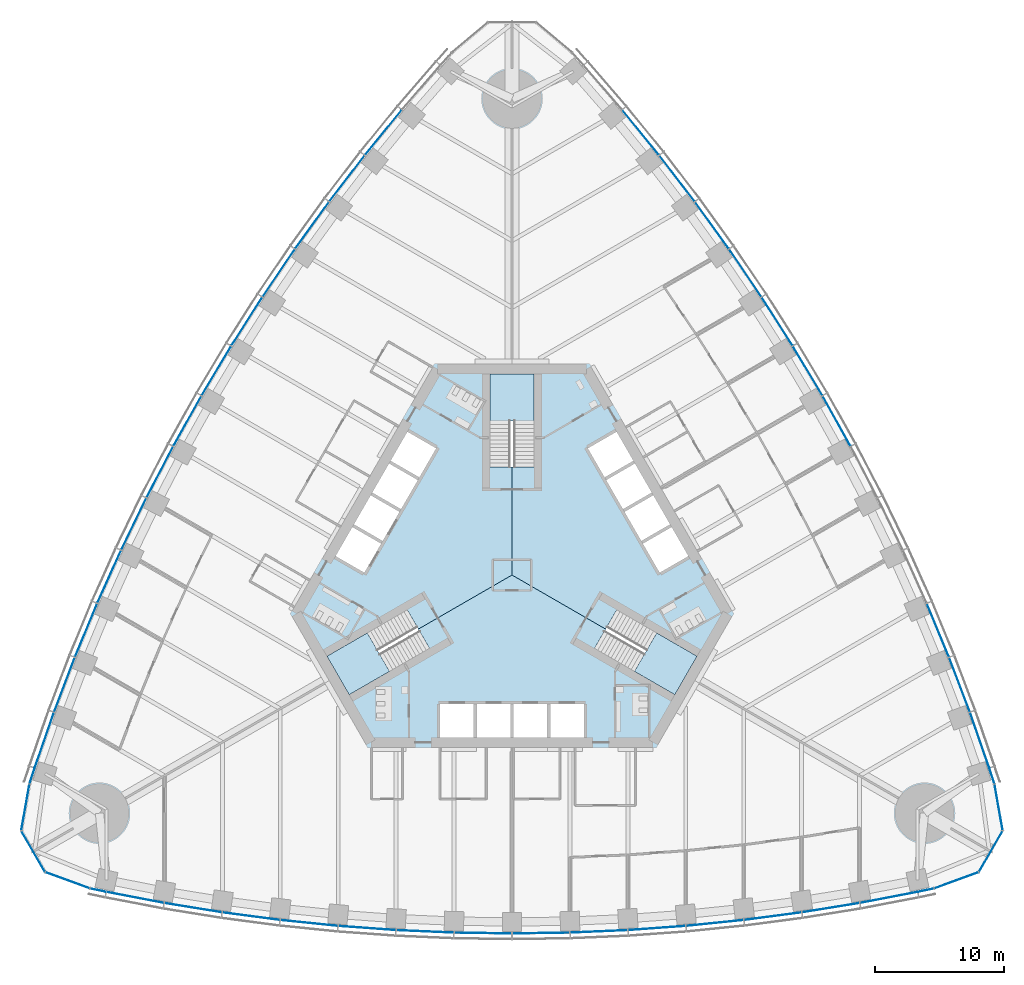
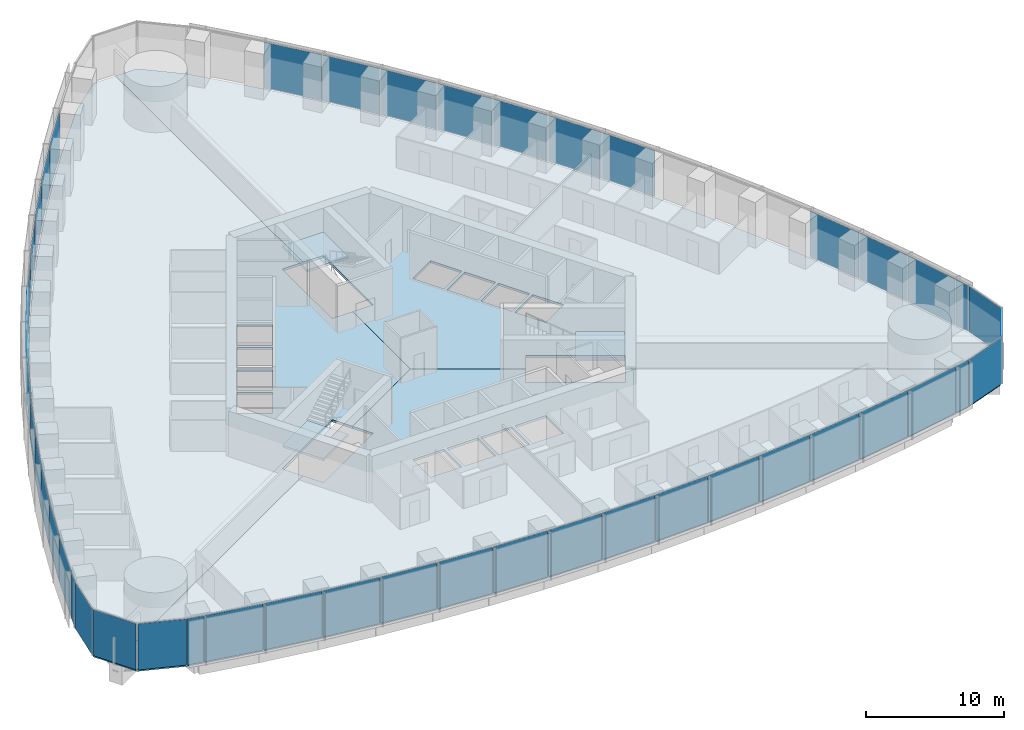
# One storey, part 8 of 19: 47 plates, 6 slabs, 8 elements without a shape of their own.
"""IFC4 building model written with IfcOpenShell, lengths in metres."""

from ifc_helpers import new_model, si_unit, direction, frame, origin, origin_2d, place, context, subcontext, project, spatial, polyline, rectangle, outline, extrude, material, layer, layer_set, type_object, element, aggregate, save


model = new_model("IFC4")

# Units and contexts
model_context = context("Model", 3, precision=1e-05, world=origin(), true_north=direction((0.0, 1.0)))
body_context = subcontext(model_context, "Body", "Model", "MODEL_VIEW")
ifc_project = project(units=[si_unit("LENGTHUNIT", "METRE"), si_unit("AREAUNIT", "SQUARE_METRE"), si_unit("VOLUMEUNIT", "CUBIC_METRE"), si_unit("PLANEANGLEUNIT", "RADIAN"), si_unit("MASSUNIT", "GRAM", prefix="KILO")], contexts=[model_context])

# Site, building, storey
site_placement = place(None, origin())
site = spatial("IfcSite", under=ifc_project, at=site_placement, CompositionType="ELEMENT")
building_placement = place(site_placement, origin())
building = spatial("IfcBuilding", under=site, at=building_placement, Name="Trefoil Bronze Tower", CompositionType="ELEMENT")
storey_placement = place(building_placement, frame((0.0, 0.0, 45.89990234375)))
storey = spatial("IfcBuildingStorey", under=building, at=storey_placement, Name="L10", CompositionType="ELEMENT", Elevation=45.89990234375)

# Curtain wall, plates
ifc_material_1 = material(Name="Tinted solar-control glass", Category="glass")
curtain_wall_type_1 = type_object("IfcCurtainWallType", Name="Bronze office curtain wall", PredefinedType="USERDEFINED", material=ifc_material_1)
curtain_wall_1_placement = place(storey_placement, origin())
curtain_wall_1 = element("IfcCurtainWall", 1, at=curtain_wall_1_placement, inside=storey, type_object=curtain_wall_type_1, Name="CW-A L10 F1", ObjectType="CURTAIN WALL", PredefinedType="USERDEFINED")
ifc_material_2 = material(Name="Tinted solar-control glass", Category="glass")
ifc_layer_1 = layer(ifc_material_2, 0.030029296875)
ifc_layer_set_1 = layer_set([ifc_layer_1], Name="Bronze office curtain wall glass panel")
plate_type_1 = type_object("IfcPlateType", Name="Bronze office curtain wall glass panel", PredefinedType="CURTAIN_PANEL", material=ifc_layer_set_1)
plate_1_placement = place(storey_placement, frame((-32.15185546875, -24.480224609375, 0.0), z_axis=(0.0, 0.0, 1.0), x_axis=(0.978302717041, -0.207180582657, 0.0)))
plate_1 = element("IfcPlate", 2, at=plate_1_placement, type_object=plate_type_1, Name="CW-A L10 F1 panel 1", PredefinedType="CURTAIN_PANEL", context=body_context, shape_type="SweptSolid", body=[
    extrude(rectangle(XDim=1.21044921875, YDim=0.030029296875, at=origin_2d()), origin(), (0.0, 0.0, 1.0), 4.080078125),
])
plate_2_placement = place(storey_placement, frame((-29.268798828125, -25.04638671875, 0.0), z_axis=(0.0, 0.0, 1.0), x_axis=(0.982049823817, -0.188621694249, 0.0)))
plate_2 = element("IfcPlate", 3, at=plate_2_placement, type_object=plate_type_1, Name="CW-A L10 F1 panel 2", PredefinedType="CURTAIN_PANEL", context=body_context, shape_type="SweptSolid", body=[
    extrude(rectangle(XDim=4.502197265625, YDim=0.030029296875, at=origin_2d()), origin(), (0.0, 0.0, 1.0), 4.080078125),
])
plate_3_placement = place(storey_placement, frame((-24.765869140625, -25.8427734375, 0.0), z_axis=(0.0, 0.0, 1.0), x_axis=(0.987181315145, -0.159602791421, 0.0)))
plate_3 = element("IfcPlate", 4, at=plate_3_placement, type_object=plate_type_1, Name="CW-A L10 F1 panel 3", PredefinedType="CURTAIN_PANEL", context=body_context, shape_type="SweptSolid", body=[
    extrude(rectangle(XDim=4.478515625, YDim=0.030029296875, at=origin_2d()), origin(), (0.0, 0.0, 1.0), 4.080078125),
])
plate_4_placement = place(storey_placement, frame((-20.262939453125, -26.50341796875, 0.0), z_axis=(0.0, 0.0, 1.0), x_axis=(0.991437251591, -0.130583981243, 0.0)))
plate_4 = element("IfcPlate", 5, at=plate_4_placement, type_object=plate_type_1, Name="CW-A L10 F1 panel 4", PredefinedType="CURTAIN_PANEL", context=body_context, shape_type="SweptSolid", body=[
    extrude(rectangle(XDim=4.458984375, YDim=0.030029296875, at=origin_2d()), origin(), (0.0, 0.0, 1.0), 4.080078125),
])
plate_5_placement = place(storey_placement, frame((-15.76025390625, -27.02978515625, 0.0), z_axis=(0.0, 0.0, 1.0), x_axis=(0.994828880293, -0.101565244717, 0.0)))
plate_5 = element("IfcPlate", 6, at=plate_5_placement, type_object=plate_type_1, Name="CW-A L10 F1 panel 5", PredefinedType="CURTAIN_PANEL", context=body_context, shape_type="SweptSolid", body=[
    extrude(rectangle(XDim=4.443359375, YDim=0.030029296875, at=origin_2d()), origin(), (0.0, 0.0, 1.0), 4.080078125),
])
plate_6_placement = place(storey_placement, frame((-11.25732421875, -27.42333984375, 0.0), z_axis=(0.0, 0.0, 1.0), x_axis=(0.99736502647, -0.072546564177, 0.0)))
plate_6 = element("IfcPlate", 7, at=plate_6_placement, type_object=plate_type_1, Name="CW-A L10 F1 panel 6", PredefinedType="CURTAIN_PANEL", context=body_context, shape_type="SweptSolid", body=[
    extrude(rectangle(XDim=4.431884765625, YDim=0.030029296875, at=origin_2d()), origin(), (0.0, 0.0, 1.0), 4.080078125),
])
plate_7_placement = place(storey_placement, frame((-6.75439453125, -27.685302734375, 0.0), z_axis=(0.0, 0.0, 1.0), x_axis=(0.999052210809, -0.043527922969, 0.0)))
plate_7 = element("IfcPlate", 8, at=plate_7_placement, type_object=plate_type_1, Name="CW-A L10 F1 panel 7", PredefinedType="CURTAIN_PANEL", context=body_context, shape_type="SweptSolid", body=[
    extrude(rectangle(XDim=4.42431640625, YDim=0.030029296875, at=origin_2d()), origin(), (0.0, 0.0, 1.0), 4.080078125),
])
plate_8_placement = place(storey_placement, frame((-2.25146484375, -27.816162109375, 0.0), z_axis=(0.0, 0.0, 1.0), x_axis=(0.999894734493, -0.014509305083, 0.0)))
plate_8 = element("IfcPlate", 9, at=plate_8_placement, type_object=plate_type_1, Name="CW-A L10 F1 panel 8", PredefinedType="CURTAIN_PANEL", context=body_context, shape_type="SweptSolid", body=[
    extrude(rectangle(XDim=4.42041015625, YDim=0.030029296875, at=origin_2d()), origin(), (0.0, 0.0, 1.0), 4.080078125),
])
plate_9_placement = place(storey_placement, frame((2.25146484375, -27.816162109375, 0.0), z_axis=(0.0, 0.0, 1.0), x_axis=(0.999894734493, 0.014509305083, 0.0)))
plate_9 = element("IfcPlate", 10, at=plate_9_placement, type_object=plate_type_1, Name="CW-A L10 F1 panel 9", PredefinedType="CURTAIN_PANEL", context=body_context, shape_type="SweptSolid", body=[
    extrude(rectangle(XDim=4.42041015625, YDim=0.030029296875, at=origin_2d()), origin(), (0.0, 0.0, 1.0), 4.080078125),
])
plate_10_placement = place(storey_placement, frame((6.75439453125, -27.685302734375, 0.0), z_axis=(0.0, 0.0, 1.0), x_axis=(0.999052210809, 0.043527922969, 0.0)))
plate_10 = element("IfcPlate", 11, at=plate_10_placement, type_object=plate_type_1, Name="CW-A L10 F1 panel 10", PredefinedType="CURTAIN_PANEL", context=body_context, shape_type="SweptSolid", body=[
    extrude(rectangle(XDim=4.42431640625, YDim=0.030029296875, at=origin_2d()), origin(), (0.0, 0.0, 1.0), 4.080078125),
])
plate_11_placement = place(storey_placement, frame((11.25732421875, -27.42333984375, 0.0), z_axis=(0.0, 0.0, 1.0), x_axis=(0.99736502647, 0.072546564177, 0.0)))
plate_11 = element("IfcPlate", 12, at=plate_11_placement, type_object=plate_type_1, Name="CW-A L10 F1 panel 11", PredefinedType="CURTAIN_PANEL", context=body_context, shape_type="SweptSolid", body=[
    extrude(rectangle(XDim=4.431884765625, YDim=0.030029296875, at=origin_2d()), origin(), (0.0, 0.0, 1.0), 4.080078125),
])
plate_12_placement = place(storey_placement, frame((15.76025390625, -27.02978515625, 0.0), z_axis=(0.0, 0.0, 1.0), x_axis=(0.994828880293, 0.101565244717, 0.0)))
plate_12 = element("IfcPlate", 13, at=plate_12_placement, type_object=plate_type_1, Name="CW-A L10 F1 panel 12", PredefinedType="CURTAIN_PANEL", context=body_context, shape_type="SweptSolid", body=[
    extrude(rectangle(XDim=4.443359375, YDim=0.030029296875, at=origin_2d()), origin(), (0.0, 0.0, 1.0), 4.080078125),
])
plate_13_placement = place(storey_placement, frame((20.262939453125, -26.50341796875, 0.0), z_axis=(0.0, 0.0, 1.0), x_axis=(0.991437251591, 0.130583981243, 0.0)))
plate_13 = element("IfcPlate", 14, at=plate_13_placement, type_object=plate_type_1, Name="CW-A L10 F1 panel 13", PredefinedType="CURTAIN_PANEL", context=body_context, shape_type="SweptSolid", body=[
    extrude(rectangle(XDim=4.458984375, YDim=0.030029296875, at=origin_2d()), origin(), (0.0, 0.0, 1.0), 4.080078125),
])
plate_14_placement = place(storey_placement, frame((24.765869140625, -25.8427734375, 0.0), z_axis=(0.0, 0.0, 1.0), x_axis=(0.987181315145, 0.159602791421, 0.0)))
plate_14 = element("IfcPlate", 15, at=plate_14_placement, type_object=plate_type_1, Name="CW-A L10 F1 panel 14", PredefinedType="CURTAIN_PANEL", context=body_context, shape_type="SweptSolid", body=[
    extrude(rectangle(XDim=4.478515625, YDim=0.030029296875, at=origin_2d()), origin(), (0.0, 0.0, 1.0), 4.080078125),
])
plate_15_placement = place(storey_placement, frame((29.268798828125, -25.04638671875, 0.0), z_axis=(0.0, 0.0, 1.0), x_axis=(0.982049823817, 0.188621694249, 0.0)))
plate_15 = element("IfcPlate", 16, at=plate_15_placement, type_object=plate_type_1, Name="CW-A L10 F1 panel 15", PredefinedType="CURTAIN_PANEL", context=body_context, shape_type="SweptSolid", body=[
    extrude(rectangle(XDim=4.502197265625, YDim=0.030029296875, at=origin_2d()), origin(), (0.0, 0.0, 1.0), 4.080078125),
])
plate_16_placement = place(storey_placement, frame((32.15185546875, -24.480224609375, 0.0), z_axis=(0.0, 0.0, 1.0), x_axis=(0.978302717041, 0.207180582657, 0.0)))
plate_16 = element("IfcPlate", 17, at=plate_16_placement, type_object=plate_type_1, Name="CW-A L10 F1 panel 16", PredefinedType="CURTAIN_PANEL", context=body_context, shape_type="SweptSolid", body=[
    extrude(rectangle(XDim=1.21044921875, YDim=0.030029296875, at=origin_2d()), origin(), (0.0, 0.0, 1.0), 4.080078125),
])
aggregate(curtain_wall_1, [plate_1, plate_2, plate_3, plate_4, plate_5, plate_6, plate_7, plate_8, plate_9, plate_10, plate_11, plate_12, plate_13, plate_14, plate_15, plate_16])

curtain_wall_2_placement = place(storey_placement, origin())
curtain_wall_2 = element("IfcCurtainWall", 18, at=curtain_wall_2_placement, inside=storey, type_object=curtain_wall_type_1, Name="CW-A L10 F2", ObjectType="CURTAIN WALL", PredefinedType="USERDEFINED")
plate_17_placement = place(storey_placement, frame((37.2763671875, -15.604248046875, 0.0), z_axis=(0.0, 0.0, 1.0), x_axis=(-0.309727710769, 0.950825296877, 0.0)))
plate_17 = element("IfcPlate", 19, at=plate_17_placement, type_object=plate_type_1, Name="CW-A L10 F2 panel 1", PredefinedType="CURTAIN_PANEL", context=body_context, shape_type="SweptSolid", body=[
    extrude(rectangle(XDim=1.21044921875, YDim=0.030029296875, at=origin_2d()), origin(), (0.0, 0.0, 1.0), 4.080078125),
])
plate_18_placement = place(storey_placement, frame((36.3251953125, -12.824462890625, 0.0), z_axis=(0.0, 0.0, 1.0), x_axis=(-0.327673732984, 0.944790942332, 0.0)))
plate_18 = element("IfcPlate", 20, at=plate_18_placement, type_object=plate_type_1, Name="CW-A L10 F2 panel 2", PredefinedType="CURTAIN_PANEL", context=body_context, shape_type="SweptSolid", body=[
    extrude(rectangle(XDim=4.502197265625, YDim=0.030029296875, at=origin_2d()), origin(), (0.0, 0.0, 1.0), 4.080078125),
])
plate_19_placement = place(storey_placement, frame((34.763427734375, -8.526611328125, 0.0), z_axis=(0.0, 0.0, 1.0), x_axis=(-0.355370585687, 0.934725492767, 0.0)))
plate_19 = element("IfcPlate", 21, at=plate_19_placement, type_object=plate_type_1, Name="CW-A L10 F2 panel 3", PredefinedType="CURTAIN_PANEL", context=body_context, shape_type="SweptSolid", body=[
    extrude(rectangle(XDim=4.478515625, YDim=0.030029296875, at=origin_2d()), origin(), (0.0, 0.0, 1.0), 4.080078125),
])
plate_20_placement = place(storey_placement, frame((33.084228515625, -4.296630859375, 0.0), z_axis=(0.0, 0.0, 1.0), x_axis=(-0.382629580712, 0.923901836758, 0.0)))
plate_20 = element("IfcPlate", 22, at=plate_20_placement, type_object=plate_type_1, Name="CW-A L10 F2 panel 4", PredefinedType="CURTAIN_PANEL", context=body_context, shape_type="SweptSolid", body=[
    extrude(rectangle(XDim=4.458984375, YDim=0.030029296875, at=origin_2d()), origin(), (0.0, 0.0, 1.0), 4.080078125),
])
plate_21_placement = place(storey_placement, frame((25.215087890625, 11.958251953125, 0.0), z_axis=(0.0, 0.0, 1.0), x_axis=(-0.487381940453, 0.873188893722, 0.0)))
plate_21 = element("IfcPlate", 23, at=plate_21_placement, type_object=plate_type_1, Name="CW-A L10 F2 panel 8", PredefinedType="CURTAIN_PANEL", context=body_context, shape_type="SweptSolid", body=[
    extrude(rectangle(XDim=4.42041015625, YDim=0.030029296875, at=origin_2d()), origin(), (0.0, 0.0, 1.0), 4.080078125),
])
plate_22_placement = place(storey_placement, frame((22.963623046875, 15.85791015625, 0.0), z_axis=(0.0, 0.0, 1.0), x_axis=(-0.51251279404, 0.858679588639, 0.0)))
plate_22 = element("IfcPlate", 24, at=plate_22_placement, type_object=plate_type_1, Name="CW-A L10 F2 panel 9", PredefinedType="CURTAIN_PANEL", context=body_context, shape_type="SweptSolid", body=[
    extrude(rectangle(XDim=4.42041015625, YDim=0.030029296875, at=origin_2d()), origin(), (0.0, 0.0, 1.0), 4.080078125),
])
plate_23_placement = place(storey_placement, frame((20.598876953125, 19.692138671875, 0.0), z_axis=(0.0, 0.0, 1.0), x_axis=(-0.537222392469, 0.843440632783, 0.0)))
plate_23 = element("IfcPlate", 25, at=plate_23_placement, type_object=plate_type_1, Name="CW-A L10 F2 panel 10", PredefinedType="CURTAIN_PANEL", context=body_context, shape_type="SweptSolid", body=[
    extrude(rectangle(XDim=4.42431640625, YDim=0.030029296875, at=origin_2d()), origin(), (0.0, 0.0, 1.0), 4.080078125),
])
plate_24_placement = place(storey_placement, frame((18.120849609375, 23.460693359375, 0.0), z_axis=(0.0, 0.0, 1.0), x_axis=(-0.56150968077, 0.827470167681, 0.0)))
plate_24 = element("IfcPlate", 26, at=plate_24_placement, type_object=plate_type_1, Name="CW-A L10 F2 panel 11", PredefinedType="CURTAIN_PANEL", context=body_context, shape_type="SweptSolid", body=[
    extrude(rectangle(XDim=4.431884765625, YDim=0.030029296875, at=origin_2d()), origin(), (0.0, 0.0, 1.0), 4.080078125),
])
plate_25_placement = place(storey_placement, frame((15.5283203125, 27.16357421875, 0.0), z_axis=(0.0, 0.0, 1.0), x_axis=(-0.585372522213, 0.810764460394, 0.0)))
plate_25 = element("IfcPlate", 27, at=plate_25_placement, type_object=plate_type_1, Name="CW-A L10 F2 panel 12", PredefinedType="CURTAIN_PANEL", context=body_context, shape_type="SweptSolid", body=[
    extrude(rectangle(XDim=4.443359375, YDim=0.030029296875, at=origin_2d()), origin(), (0.0, 0.0, 1.0), 4.080078125),
])
plate_26_placement = place(storey_placement, frame((12.821044921875, 30.800048828125, 0.0), z_axis=(0.0, 0.0, 1.0), x_axis=(-0.608807670879, 0.793317855515, 0.0)))
plate_26 = element("IfcPlate", 28, at=plate_26_placement, type_object=plate_type_1, Name="CW-A L10 F2 panel 13", PredefinedType="CURTAIN_PANEL", context=body_context, shape_type="SweptSolid", body=[
    extrude(rectangle(XDim=4.458984375, YDim=0.030029296875, at=origin_2d()), origin(), (0.0, 0.0, 1.0), 4.080078125),
])
plate_27_placement = place(storey_placement, frame((9.99755859375, 34.369384765625, 0.0), z_axis=(0.0, 0.0, 1.0), x_axis=(-0.631810729457, 0.775122701346, 0.0)))
plate_27 = element("IfcPlate", 29, at=plate_27_placement, type_object=plate_type_1, Name="CW-A L10 F2 panel 14", PredefinedType="CURTAIN_PANEL", context=body_context, shape_type="SweptSolid", body=[
    extrude(rectangle(XDim=4.478515625, YDim=0.030029296875, at=origin_2d()), origin(), (0.0, 0.0, 1.0), 4.080078125),
])
aggregate(curtain_wall_2, [plate_17, plate_18, plate_19, plate_20, plate_21, plate_22, plate_23, plate_24, plate_25, plate_26, plate_27])

curtain_wall_3_placement = place(storey_placement, origin())
curtain_wall_3 = element("IfcCurtainWall", 30, at=curtain_wall_3_placement, inside=storey, type_object=curtain_wall_type_1, Name="CW-A L10 F3", ObjectType="CURTAIN WALL", PredefinedType="USERDEFINED")
plate_28_placement = place(storey_placement, frame((-9.99755859375, 34.369384765625, 0.0), z_axis=(0.0, 0.0, 1.0), x_axis=(-0.631810729457, -0.775122701346, 0.0)))
plate_28 = element("IfcPlate", 31, at=plate_28_placement, type_object=plate_type_1, Name="CW-A L10 F3 panel 3", PredefinedType="CURTAIN_PANEL", context=body_context, shape_type="SweptSolid", body=[
    extrude(rectangle(XDim=4.478515625, YDim=0.030029296875, at=origin_2d()), origin(), (0.0, 0.0, 1.0), 4.080078125),
])
plate_29_placement = place(storey_placement, frame((-12.821044921875, 30.800048828125, 0.0), z_axis=(0.0, 0.0, 1.0), x_axis=(-0.608807670879, -0.793317855515, 0.0)))
plate_29 = element("IfcPlate", 32, at=plate_29_placement, type_object=plate_type_1, Name="CW-A L10 F3 panel 4", PredefinedType="CURTAIN_PANEL", context=body_context, shape_type="SweptSolid", body=[
    extrude(rectangle(XDim=4.458984375, YDim=0.030029296875, at=origin_2d()), origin(), (0.0, 0.0, 1.0), 4.080078125),
])
plate_30_placement = place(storey_placement, frame((-15.5283203125, 27.16357421875, 0.0), z_axis=(0.0, 0.0, 1.0), x_axis=(-0.585372522213, -0.810764460394, 0.0)))
plate_30 = element("IfcPlate", 33, at=plate_30_placement, type_object=plate_type_1, Name="CW-A L10 F3 panel 5", PredefinedType="CURTAIN_PANEL", context=body_context, shape_type="SweptSolid", body=[
    extrude(rectangle(XDim=4.443359375, YDim=0.030029296875, at=origin_2d()), origin(), (0.0, 0.0, 1.0), 4.080078125),
])
plate_31_placement = place(storey_placement, frame((-18.120849609375, 23.460693359375, 0.0), z_axis=(0.0, 0.0, 1.0), x_axis=(-0.56150968077, -0.827470167681, 0.0)))
plate_31 = element("IfcPlate", 34, at=plate_31_placement, type_object=plate_type_1, Name="CW-A L10 F3 panel 6", PredefinedType="CURTAIN_PANEL", context=body_context, shape_type="SweptSolid", body=[
    extrude(rectangle(XDim=4.431884765625, YDim=0.030029296875, at=origin_2d()), origin(), (0.0, 0.0, 1.0), 4.080078125),
])
plate_32_placement = place(storey_placement, frame((-20.598876953125, 19.692138671875, 0.0), z_axis=(0.0, 0.0, 1.0), x_axis=(-0.537222392469, -0.843440632783, 0.0)))
plate_32 = element("IfcPlate", 35, at=plate_32_placement, type_object=plate_type_1, Name="CW-A L10 F3 panel 7", PredefinedType="CURTAIN_PANEL", context=body_context, shape_type="SweptSolid", body=[
    extrude(rectangle(XDim=4.42431640625, YDim=0.030029296875, at=origin_2d()), origin(), (0.0, 0.0, 1.0), 4.080078125),
])
plate_33_placement = place(storey_placement, frame((-22.963623046875, 15.85791015625, 0.0), z_axis=(0.0, 0.0, 1.0), x_axis=(-0.51251279404, -0.858679588639, 0.0)))
plate_33 = element("IfcPlate", 36, at=plate_33_placement, type_object=plate_type_1, Name="CW-A L10 F3 panel 8", PredefinedType="CURTAIN_PANEL", context=body_context, shape_type="SweptSolid", body=[
    extrude(rectangle(XDim=4.42041015625, YDim=0.030029296875, at=origin_2d()), origin(), (0.0, 0.0, 1.0), 4.080078125),
])
plate_34_placement = place(storey_placement, frame((-25.215087890625, 11.958251953125, 0.0), z_axis=(0.0, 0.0, 1.0), x_axis=(-0.487381940453, -0.873188893722, 0.0)))
plate_34 = element("IfcPlate", 37, at=plate_34_placement, type_object=plate_type_1, Name="CW-A L10 F3 panel 9", PredefinedType="CURTAIN_PANEL", context=body_context, shape_type="SweptSolid", body=[
    extrude(rectangle(XDim=4.42041015625, YDim=0.030029296875, at=origin_2d()), origin(), (0.0, 0.0, 1.0), 4.080078125),
])
plate_35_placement = place(storey_placement, frame((-27.353271484375, 7.9931640625, 0.0), z_axis=(0.0, 0.0, 1.0), x_axis=(-0.46182981834, -0.886968555752, 0.0)))
plate_35 = element("IfcPlate", 38, at=plate_35_placement, type_object=plate_type_1, Name="CW-A L10 F3 panel 10", PredefinedType="CURTAIN_PANEL", context=body_context, shape_type="SweptSolid", body=[
    extrude(rectangle(XDim=4.42431640625, YDim=0.030029296875, at=origin_2d()), origin(), (0.0, 0.0, 1.0), 4.080078125),
])
plate_36_placement = place(storey_placement, frame((-29.3779296875, 3.962646484375, 0.0), z_axis=(0.0, 0.0, 1.0), x_axis=(-0.4358553457, -0.900016731858, 0.0)))
plate_36 = element("IfcPlate", 39, at=plate_36_placement, type_object=plate_type_1, Name="CW-A L10 F3 panel 11", PredefinedType="CURTAIN_PANEL", context=body_context, shape_type="SweptSolid", body=[
    extrude(rectangle(XDim=4.431884765625, YDim=0.030029296875, at=origin_2d()), origin(), (0.0, 0.0, 1.0), 4.080078125),
])
plate_37_placement = place(storey_placement, frame((-31.28857421875, -0.1337890625, 0.0), z_axis=(0.0, 0.0, 1.0), x_axis=(-0.40945635808, -0.912329705111, 0.0)))
plate_37 = element("IfcPlate", 40, at=plate_37_placement, type_object=plate_type_1, Name="CW-A L10 F3 panel 12", PredefinedType="CURTAIN_PANEL", context=body_context, shape_type="SweptSolid", body=[
    extrude(rectangle(XDim=4.443359375, YDim=0.030029296875, at=origin_2d()), origin(), (0.0, 0.0, 1.0), 4.080078125),
])
plate_38_placement = place(storey_placement, frame((-33.084228515625, -4.296630859375, 0.0), z_axis=(0.0, 0.0, 1.0), x_axis=(-0.382629580712, -0.923901836758, 0.0)))
plate_38 = element("IfcPlate", 41, at=plate_38_placement, type_object=plate_type_1, Name="CW-A L10 F3 panel 13", PredefinedType="CURTAIN_PANEL", context=body_context, shape_type="SweptSolid", body=[
    extrude(rectangle(XDim=4.458984375, YDim=0.030029296875, at=origin_2d()), origin(), (0.0, 0.0, 1.0), 4.080078125),
])
plate_39_placement = place(storey_placement, frame((-34.763427734375, -8.526611328125, 0.0), z_axis=(0.0, 0.0, 1.0), x_axis=(-0.355370585687, -0.934725492767, 0.0)))
plate_39 = element("IfcPlate", 42, at=plate_39_placement, type_object=plate_type_1, Name="CW-A L10 F3 panel 14", PredefinedType="CURTAIN_PANEL", context=body_context, shape_type="SweptSolid", body=[
    extrude(rectangle(XDim=4.478515625, YDim=0.030029296875, at=origin_2d()), origin(), (0.0, 0.0, 1.0), 4.080078125),
])
plate_40_placement = place(storey_placement, frame((-36.3251953125, -12.824462890625, 0.0), z_axis=(0.0, 0.0, 1.0), x_axis=(-0.327673732984, -0.944790942332, 0.0)))
plate_40 = element("IfcPlate", 43, at=plate_40_placement, type_object=plate_type_1, Name="CW-A L10 F3 panel 15", PredefinedType="CURTAIN_PANEL", context=body_context, shape_type="SweptSolid", body=[
    extrude(rectangle(XDim=4.502197265625, YDim=0.030029296875, at=origin_2d()), origin(), (0.0, 0.0, 1.0), 4.080078125),
])
plate_41_placement = place(storey_placement, frame((-37.2763671875, -15.604248046875, 0.0), z_axis=(0.0, 0.0, 1.0), x_axis=(-0.309727710769, -0.950825296877, 0.0)))
plate_41 = element("IfcPlate", 44, at=plate_41_placement, type_object=plate_type_1, Name="CW-A L10 F3 panel 16", PredefinedType="CURTAIN_PANEL", context=body_context, shape_type="SweptSolid", body=[
    extrude(rectangle(XDim=1.21044921875, YDim=0.030029296875, at=origin_2d()), origin(), (0.0, 0.0, 1.0), 4.080078125),
])
aggregate(curtain_wall_3, [plate_28, plate_29, plate_30, plate_31, plate_32, plate_33, plate_34, plate_35, plate_36, plate_37, plate_38, plate_39, plate_40, plate_41])

ifc_material_3 = material(Name="Tinted solar-control glass", Category="glass")
curtain_wall_type_2 = type_object("IfcCurtainWallType", Name="Bronze rounded corner curtain wall", PredefinedType="USERDEFINED", material=ifc_material_3)
curtain_wall_4_placement = place(storey_placement, origin())
curtain_wall_4 = element("IfcCurtainWall", 45, at=curtain_wall_4_placement, inside=storey, type_object=curtain_wall_type_2, Name="CW-B L10 K1", ObjectType="CURTAIN WALL", PredefinedType="USERDEFINED")
ifc_material_4 = material(Name="Tinted solar-control glass", Category="glass")
ifc_layer_2 = layer(ifc_material_4, 0.030029296875)
ifc_layer_set_2 = layer_set([ifc_layer_2], Name="Bronze rounded corner curtain wall glass panel")
plate_type_2 = type_object("IfcPlateType", Name="Bronze rounded corner curtain wall glass panel", PredefinedType="CURTAIN_PANEL", material=ifc_layer_set_2)
plate_42_placement = place(storey_placement, frame((34.5107421875, -23.71875, 0.0), z_axis=(0.0, 0.0, 1.0), x_axis=(0.939692620786, 0.342020143326, 0.0)))
plate_42 = element("IfcPlate", 46, at=plate_42_placement, type_object=plate_type_2, Name="CW-B L10 K1 panel 1", PredefinedType="CURTAIN_PANEL", context=body_context, shape_type="SweptSolid", body=[
    extrude(rectangle(XDim=3.588134765625, YDim=0.030029296875, at=origin_2d()), origin(), (0.0, 0.0, 1.0), 4.080078125),
])
plate_43_placement = place(storey_placement, frame((37.189208984375, -21.47119140625, 0.0), z_axis=(0.0, 0.0, 1.0), x_axis=(0.5, 0.866025403784, 0.0)))
plate_43 = element("IfcPlate", 47, at=plate_43_placement, type_object=plate_type_2, Name="CW-B L10 K1 panel 2", PredefinedType="CURTAIN_PANEL", context=body_context, shape_type="SweptSolid", body=[
    extrude(rectangle(XDim=3.588134765625, YDim=0.030029296875, at=origin_2d()), origin(), (0.0, 0.0, 1.0), 4.080078125),
])
plate_44_placement = place(storey_placement, frame((37.79638671875, -18.02783203125, 0.0), z_axis=(0.0, 0.0, 1.0), x_axis=(-0.173648177667, 0.984807753012, 0.0)))
plate_44 = element("IfcPlate", 48, at=plate_44_placement, type_object=plate_type_2, Name="CW-B L10 K1 panel 3", PredefinedType="CURTAIN_PANEL", context=body_context, shape_type="SweptSolid", body=[
    extrude(rectangle(XDim=3.588134765625, YDim=0.030029296875, at=origin_2d()), origin(), (0.0, 0.0, 1.0), 4.080078125),
])
aggregate(curtain_wall_4, [plate_42, plate_43, plate_44])

curtain_wall_5_placement = place(storey_placement, origin())
curtain_wall_5 = element("IfcCurtainWall", 49, at=curtain_wall_5_placement, inside=storey, type_object=curtain_wall_type_2, Name="CW-B L10 K3", ObjectType="CURTAIN WALL", PredefinedType="USERDEFINED")
plate_45_placement = place(storey_placement, frame((-37.79638671875, -18.02783203125, 0.0), z_axis=(0.0, 0.0, 1.0), x_axis=(-0.173648177667, -0.984807753012, 0.0)))
plate_45 = element("IfcPlate", 50, at=plate_45_placement, type_object=plate_type_2, Name="CW-B L10 K3 panel 1", PredefinedType="CURTAIN_PANEL", context=body_context, shape_type="SweptSolid", body=[
    extrude(rectangle(XDim=3.588134765625, YDim=0.030029296875, at=origin_2d()), origin(), (0.0, 0.0, 1.0), 4.080078125),
])
plate_46_placement = place(storey_placement, frame((-37.189208984375, -21.47119140625, 0.0), z_axis=(0.0, 0.0, 1.0), x_axis=(0.5, -0.866025403784, 0.0)))
plate_46 = element("IfcPlate", 51, at=plate_46_placement, type_object=plate_type_2, Name="CW-B L10 K3 panel 2", PredefinedType="CURTAIN_PANEL", context=body_context, shape_type="SweptSolid", body=[
    extrude(rectangle(XDim=3.588134765625, YDim=0.030029296875, at=origin_2d()), origin(), (0.0, 0.0, 1.0), 4.080078125),
])
plate_47_placement = place(storey_placement, frame((-34.5107421875, -23.71875, 0.0), z_axis=(0.0, 0.0, 1.0), x_axis=(0.939692620786, -0.342020143326, 0.0)))
plate_47 = element("IfcPlate", 52, at=plate_47_placement, type_object=plate_type_2, Name="CW-B L10 K3 panel 3", PredefinedType="CURTAIN_PANEL", context=body_context, shape_type="SweptSolid", body=[
    extrude(rectangle(XDim=3.588134765625, YDim=0.030029296875, at=origin_2d()), origin(), (0.0, 0.0, 1.0), 4.080078125),
])
aggregate(curtain_wall_5, [plate_45, plate_46, plate_47])

# Slabs
ifc_material_5 = material(Name="Concrete B30", Category="concrete")
ifc_layer_3 = layer(ifc_material_5, 0.199951171875)
ifc_layer_set_3 = layer_set([ifc_layer_3], Name="Floor slab 200")
slab_type_1 = type_object("IfcSlabType", Name="Floor slab 200", PredefinedType="FLOOR", material=ifc_layer_set_3)
slab_1_placement = place(storey_placement, frame((0.0, 0.0, -0.199951171875)))
element("IfcSlab", 53, at=slab_1_placement, inside=storey, type_object=slab_type_1, Name="Floor slab L10 face 1", PredefinedType="FLOOR", context=body_context, shape_type="SweptSolid", body=[
    extrude(outline(polyline([(27.0, -25.38037109375), (22.5, -26.10791015625), (18.0, -26.70068359375), (13.5, -27.159912109375), (9.0, -27.4873046875), (4.5, -27.683349609375), (0.0, -27.748779296875), (-4.5, -27.683349609375), (-9.0, -27.4873046875), (-13.5, -27.159912109375), (-18.0, -26.70068359375), (-22.5, -26.10791015625), (-27.0, -25.38037109375), (-31.5, -24.51611328125), (-32.762451171875, -24.248779296875), (-36.190673828125, -23.0009765625), (-37.1025390625, -21.421142578125), (-13.510009765625, -7.800048828125), (-12.6474609375, -9.2939453125), (-6.412109375, -5.69384765625), (-7.274658203125, -4.199951171875), (0.0, 0.0), (7.274658203125, -4.199951171875), (6.412109375, -5.69384765625), (12.6474609375, -9.2939453125), (13.510009765625, -7.800048828125), (37.1025390625, -21.421142578125), (36.190673828125, -23.0009765625), (32.762451171875, -24.248779296875), (31.5, -24.51611328125), (27.0, -25.38037109375)]), holes=[polyline([(-5.574951171875, -10.02490234375), (-2.97509765625, -10.02490234375), (-2.97509765625, -12.60009765625), (-5.574951171875, -12.60009765625), (-5.574951171875, -10.02490234375)]), polyline([(-2.72509765625, -10.02490234375), (-0.125, -10.02490234375), (-0.125, -12.60009765625), (-2.72509765625, -12.60009765625), (-2.72509765625, -10.02490234375)]), polyline([(0.125, -10.02490234375), (2.72509765625, -10.02490234375), (2.72509765625, -12.60009765625), (0.125, -12.60009765625), (0.125, -10.02490234375)]), polyline([(2.97509765625, -10.02490234375), (5.574951171875, -10.02490234375), (5.574951171875, -12.60009765625), (2.97509765625, -12.60009765625), (2.97509765625, -10.02490234375)])]), origin(), (0.0, 0.0, 1.0), 0.199951171875),
])
slab_2_placement = place(storey_placement, frame((0.0, 0.0, -0.199951171875)))
element("IfcSlab", 54, at=slab_2_placement, inside=storey, type_object=slab_type_1, Name="Floor slab L10 face 2", PredefinedType="FLOOR", context=body_context, shape_type="SweptSolid", body=[
    extrude(outline(polyline([(8.47998046875, 36.07275390625), (11.360107421875, 32.53955078125), (14.123291015625, 28.938720703125), (16.771240234375, 25.271240234375), (19.3046875, 21.537841796875), (21.724609375, 17.73876953125), (24.031005859375, 13.874267578125), (26.224609375, 9.944580078125), (28.3046875, 5.949462890625), (30.271240234375, 1.888671875), (32.123291015625, -2.238037109375), (33.860107421875, -6.431640625), (35.47998046875, -10.6923828125), (36.9814453125, -15.021728515625), (37.381103515625, -16.248779296875), (38.0146484375, -19.841552734375), (37.1025390625, -21.421142578125), (13.510009765625, -7.800048828125), (14.37255859375, -6.30615234375), (8.13720703125, -2.7060546875), (7.274658203125, -4.199951171875), (0.0, 0.0), (0.0, 8.39990234375), (1.72509765625, 8.39990234375), (1.72509765625, 15.60009765625), (0.0, 15.60009765625), (0.0, 42.842529296875), (1.82421875, 42.842529296875), (4.618896484375, 40.497314453125), (5.4814453125, 39.537841796875), (8.47998046875, 36.07275390625)]), holes=[polyline([(11.469482421875, 0.184326171875), (10.16943359375, 2.43603515625), (12.3994140625, 3.7236328125), (13.699462890625, 1.471923828125), (11.469482421875, 0.184326171875)]), polyline([(10.04443359375, 2.652587890625), (8.744384765625, 4.904296875), (10.974365234375, 6.191650390625), (12.2744140625, 3.940185546875), (10.04443359375, 2.652587890625)]), polyline([(8.619384765625, 5.120849609375), (7.3193359375, 7.372314453125), (9.54931640625, 8.659912109375), (10.849365234375, 6.408203125), (8.619384765625, 5.120849609375)]), polyline([(7.1943359375, 7.5888671875), (5.894287109375, 9.840576171875), (8.12451171875, 11.128173828125), (9.42431640625, 8.87646484375), (7.1943359375, 7.5888671875)])]), origin(), (0.0, 0.0, 1.0), 0.199951171875),
])
slab_3_placement = place(storey_placement, frame((0.0, 0.0, -0.199951171875)))
element("IfcSlab", 55, at=slab_3_placement, inside=storey, type_object=slab_type_1, Name="Floor slab L10 face 3", PredefinedType="FLOOR", context=body_context, shape_type="SweptSolid", body=[
    extrude(outline(polyline([(-35.47998046875, -10.6923828125), (-33.860107421875, -6.431640625), (-32.123291015625, -2.238037109375), (-30.271240234375, 1.888671875), (-28.3046875, 5.949462890625), (-26.224609375, 9.944580078125), (-24.031005859375, 13.874267578125), (-21.724609375, 17.73876953125), (-19.3046875, 21.537841796875), (-16.771240234375, 25.271240234375), (-14.123291015625, 28.938720703125), (-11.360107421875, 32.53955078125), (-8.47998046875, 36.07275390625), (-5.4814453125, 39.537841796875), (-4.618896484375, 40.497314453125), (-1.82421875, 42.842529296875), (0.0, 42.842529296875), (0.0, 15.60009765625), (-1.72509765625, 15.60009765625), (-1.72509765625, 8.39990234375), (0.0, 8.39990234375), (0.0, 0.0), (-7.274658203125, -4.199951171875), (-8.13720703125, -2.7060546875), (-14.37255859375, -6.30615234375), (-13.510009765625, -7.800048828125), (-37.1025390625, -21.421142578125), (-38.0146484375, -19.841552734375), (-37.381103515625, -16.248779296875), (-36.9814453125, -15.021728515625), (-35.47998046875, -10.6923828125)]), holes=[polyline([(-5.894287109375, 9.840576171875), (-7.1943359375, 7.5888671875), (-9.42431640625, 8.87646484375), (-8.12451171875, 11.128173828125), (-5.894287109375, 9.840576171875)]), polyline([(-7.3193359375, 7.372314453125), (-8.619384765625, 5.120849609375), (-10.849365234375, 6.408203125), (-9.54931640625, 8.659912109375), (-7.3193359375, 7.372314453125)]), polyline([(-8.744384765625, 4.904296875), (-10.04443359375, 2.652587890625), (-12.2744140625, 3.940185546875), (-10.974365234375, 6.191650390625), (-8.744384765625, 4.904296875)]), polyline([(-10.16943359375, 2.43603515625), (-11.469482421875, 0.184326171875), (-13.699462890625, 1.471923828125), (-12.3994140625, 3.7236328125), (-10.16943359375, 2.43603515625)])]), origin(), (0.0, 0.0, 1.0), 0.199951171875),
])

# Stair, slab
ifc_material_6 = material(Name="Precast concrete B80", Category="concrete")
stair_type = type_object("IfcStairType", Name="Exit stair 26 risers", PredefinedType="HALF_TURN_STAIR", material=ifc_material_6)
stair_1_placement = place(storey_placement, origin())
stair_1 = element("IfcStair", 56, at=stair_1_placement, inside=storey, type_object=stair_type, Name="Stair ST1 L10", PredefinedType="HALF_TURN_STAIR")
ifc_material_7 = material(Name="Concrete B30", Category="concrete")
ifc_layer_4 = layer(ifc_material_7, 0.199951171875)
ifc_layer_set_4 = layer_set([ifc_layer_4], Name="Stair landing 200")
slab_type_2 = type_object("IfcSlabType", Name="Stair landing 200", PredefinedType="LANDING", material=ifc_layer_set_4)
slab_4_placement = place(storey_placement, frame((0.0, 0.0, 1.900146484375)))
slab_4 = element("IfcSlab", 57, at=slab_4_placement, type_object=slab_type_2, Name="ST1 landing 1", PredefinedType="LANDING", context=body_context, shape_type="SweptSolid", body=[
    extrude(outline(polyline([(9.512451171875, -7.48388671875), (12.6474609375, -9.2939453125), (14.37255859375, -6.30615234375), (11.237548828125, -4.49609375), (9.512451171875, -7.48388671875)])), origin(), (0.0, 0.0, 1.0), 0.199951171875),
])
aggregate(stair_1, [slab_4])

stair_2_placement = place(storey_placement, origin())
stair_2 = element("IfcStair", 58, at=stair_2_placement, inside=storey, type_object=stair_type, Name="Stair ST2 L10", PredefinedType="HALF_TURN_STAIR")
slab_5_placement = place(storey_placement, frame((0.0, 0.0, 1.900146484375)))
slab_5 = element("IfcSlab", 59, at=slab_5_placement, type_object=slab_type_2, Name="ST2 landing 1", PredefinedType="LANDING", context=body_context, shape_type="SweptSolid", body=[
    extrude(outline(polyline([(1.72509765625, 11.97998046875), (1.72509765625, 15.60009765625), (-1.72509765625, 15.60009765625), (-1.72509765625, 11.97998046875), (1.72509765625, 11.97998046875)])), origin(), (0.0, 0.0, 1.0), 0.199951171875),
])
aggregate(stair_2, [slab_5])

stair_3_placement = place(storey_placement, origin())
stair_3 = element("IfcStair", 60, at=stair_3_placement, inside=storey, type_object=stair_type, Name="Stair ST3 L10", PredefinedType="HALF_TURN_STAIR")
slab_6_placement = place(storey_placement, frame((0.0, 0.0, 1.900146484375)))
slab_6 = element("IfcSlab", 61, at=slab_6_placement, type_object=slab_type_2, Name="ST3 landing 1", PredefinedType="LANDING", context=body_context, shape_type="SweptSolid", body=[
    extrude(outline(polyline([(-11.237548828125, -4.49609375), (-14.37255859375, -6.30615234375), (-12.6474609375, -9.2939453125), (-9.512451171875, -7.48388671875), (-11.237548828125, -4.49609375)])), origin(), (0.0, 0.0, 1.0), 0.199951171875),
])
aggregate(stair_3, [slab_6])

save(model, "model.ifc")
